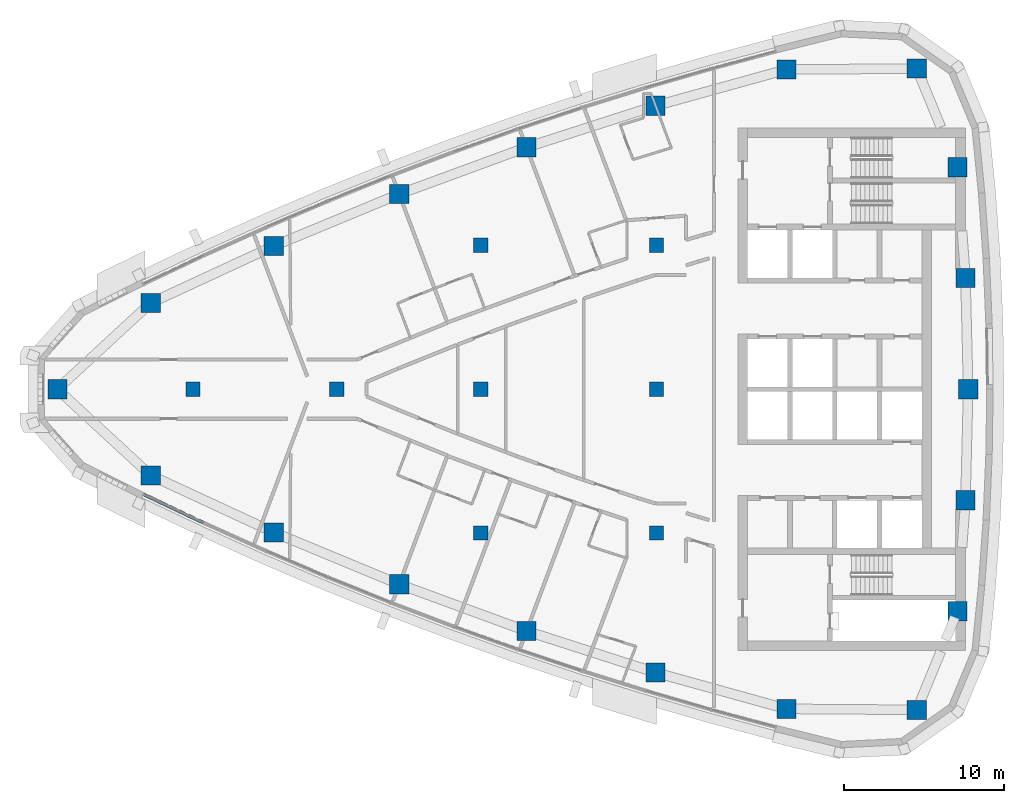
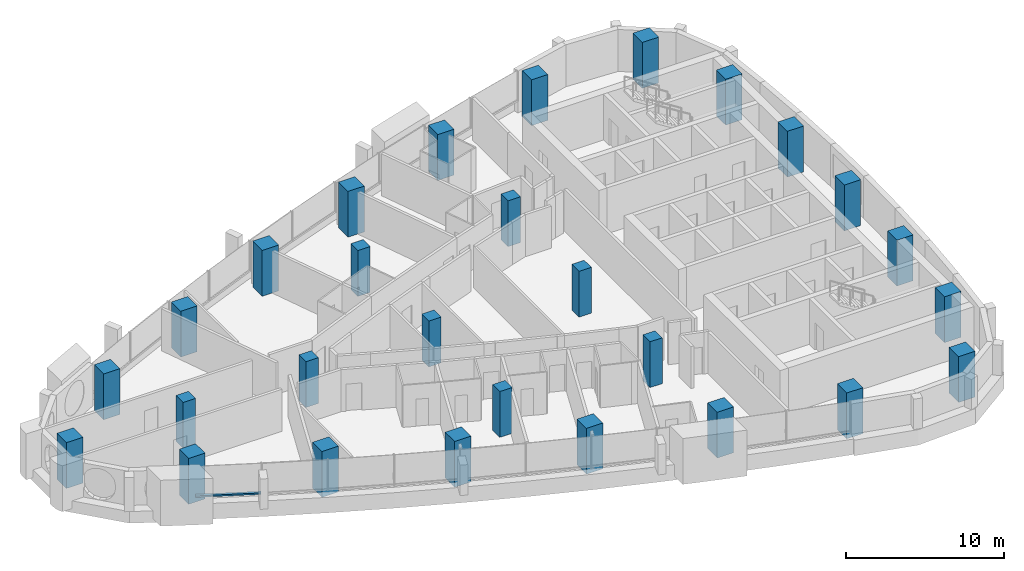
# One storey, part 1 of 16: 28 columns, 1 member, 1 element without a shape of its own.
"""IFC4 building model written with IfcOpenShell, lengths in metres."""

from ifc_helpers import new_model, si_unit, direction, frame, origin, origin_2d, place, context, subcontext, project, spatial, rectangle, extrude, material, layer, layer_set, material_profile, profile_set, type_object, element, aggregate, save


model = new_model("IFC4")

# Units and contexts
model_context = context("Model", 3, precision=1e-05, world=origin(), true_north=direction((0.0, 1.0)))
body_context = subcontext(model_context, "Body", "Model", "MODEL_VIEW")
ifc_project = project(units=[si_unit("LENGTHUNIT", "METRE"), si_unit("AREAUNIT", "SQUARE_METRE"), si_unit("VOLUMEUNIT", "CUBIC_METRE"), si_unit("PLANEANGLEUNIT", "RADIAN"), si_unit("MASSUNIT", "GRAM", prefix="KILO")], contexts=[model_context])

# Site, building, storey
site_placement = place(None, origin())
site = spatial("IfcSite", under=ifc_project, at=site_placement, CompositionType="ELEMENT")
building_placement = place(site_placement, origin())
building = spatial("IfcBuilding", under=site, at=building_placement, Name="Ostrand Prow Hotel Tower", CompositionType="ELEMENT")
storey_placement = place(building_placement, frame((0.0, 0.0, 224.35009765625)))
storey = spatial("IfcBuildingStorey", under=building, at=storey_placement, Name="L56", CompositionType="ELEMENT", Elevation=224.35009765625)

# Columns
ifc_material_1 = material(Name="Concrete C50/60", Category="concrete")
ifc_material_profile_1 = material_profile(ifc_material_1, rectangle(XDim=0.89990234375, YDim=0.89990234375, at=origin_2d()), Name="RC 900x900")
ifc_profile_set_1 = profile_set([ifc_material_profile_1], Name="Concrete C50/60")
column_type_1 = type_object("IfcColumnType", Name="Interior column 900x900 C50/60", PredefinedType="COLUMN", material=ifc_profile_set_1)
for number, where, z_axis, x_axis, name in (
    (1, (16.0, 0.0, 0.0), (0.0, 0.0, 1.0), (1.0, 0.0, 0.0), "Interior column 16C0"),
    (2, (25.0, 0.0, 0.0), (0.0, 0.0, 1.0), (1.0, 0.0, 0.0), "Interior column 25C0"),
    (3, (34.0, -9.0, 0.0), (0.0, 0.0, 1.0), (1.0, 0.0, 0.0), "Interior column 34S9"),
    (4, (34.0, 0.0, 0.0), (0.0, 0.0, 1.0), (1.0, 0.0, 0.0), "Interior column 34C0"),
    (5, (34.0, 9.0, 0.0), (0.0, 0.0, 1.0), (1.0, 0.0, 0.0), "Interior column 34N9"),
    (6, (45.0, -9.0, 0.0), (0.0, 0.0, 1.0), (1.0, 0.0, 0.0), "Interior column 45S9"),
    (7, (45.0, 0.0, 0.0), (0.0, 0.0, 1.0), (1.0, 0.0, 0.0), "Interior column 45C0"),
    (8, (45.0, 9.0, 0.0), (0.0, 0.0, 1.0), (1.0, 0.0, 0.0), "Interior column 45N9"),
):
    element("IfcColumn", number, at=place(storey_placement, frame(where, z_axis=z_axis, x_axis=x_axis)), inside=storey, type_object=column_type_1, Name=name, PredefinedType="COLUMN", context=body_context, shape_type="SweptSolid", body=[
        extrude(rectangle(XDim=0.89990234375, YDim=0.89990234375, at=origin_2d()), origin(), (0.0, 0.0, 1.0), 3.5498046875),
    ])
ifc_material_2 = material(Name="Concrete C50/60", Category="concrete")
ifc_material_profile_2 = material_profile(ifc_material_2, rectangle(XDim=1.199951171875, YDim=1.199951171875, at=origin_2d()), Name="RC 1200x1200")
ifc_profile_set_2 = profile_set([ifc_material_profile_2], Name="Concrete C50/60")
column_type_2 = type_object("IfcColumnType", Name="Stone-faced mega column 1200x1200 C50/60", PredefinedType="COLUMN", material=ifc_profile_set_2)
for number, where, z_axis, x_axis, name in (
    (9, (7.513916015625, 0.0, 0.0), (0.0, 0.0, 1.0), (1.0, 0.0, 0.0), "Mega column P"),
    (10, (13.356201171875, -5.392822265625, 0.0), (0.0, 0.0, 1.0), (1.0, 0.0, 0.0), "Mega column S1"),
    (11, (21.05859375, -8.95751953125, 0.0), (0.0, 0.0, 1.0), (1.0, 0.0, 0.0), "Mega column S2"),
    (12, (28.900146484375, -12.205322265625, 0.0), (0.0, 0.0, 1.0), (1.0, 0.0, 0.0), "Mega column S3"),
    (13, (36.8671875, -15.131591796875, 0.0), (0.0, 0.0, 1.0), (1.0, 0.0, 0.0), "Mega column S4"),
    (14, (44.94677734375, -17.731201171875, 0.0), (0.0, 0.0, 1.0), (1.0, 0.0, 0.0), "Mega column S5"),
    (15, (53.12548828125, -19.99951171875, 0.0), (0.0, 0.0, 1.0), (1.0, 0.0, 0.0), "Mega column S6"),
    (16, (61.283935546875, -20.06201171875, 0.0), (0.0, 0.0, 1.0), (1.0, 0.0, 0.0), "Mega column SE"),
    (17, (63.826416015625, -13.887939453125, 0.0), (0.0, 0.0, 1.0), (1.0, 0.0, 0.0), "Mega column B1"),
    (18, (64.33154296875, -6.9521484375, 0.0), (0.0, 0.0, 1.0), (1.0, 0.0, 0.0), "Mega column B2"),
    (19, (64.5, 0.0, 0.0), (0.0, 0.0, 1.0), (1.0, 0.0, 0.0), "Mega column B3"),
    (20, (64.33154296875, 6.9521484375, 0.0), (0.0, 0.0, 1.0), (1.0, 0.0, 0.0), "Mega column B4"),
    (21, (63.826416015625, 13.887939453125, 0.0), (0.0, 0.0, 1.0), (1.0, 0.0, 0.0), "Mega column B5"),
    (22, (61.283935546875, 20.06201171875, 0.0), (0.0, 0.0, 1.0), (1.0, 0.0, 0.0), "Mega column NE"),
    (23, (53.12548828125, 19.99951171875, 0.0), (0.0, 0.0, 1.0), (1.0, 0.0, 0.0), "Mega column N1"),
    (24, (44.94677734375, 17.731201171875, 0.0), (0.0, 0.0, 1.0), (1.0, 0.0, 0.0), "Mega column N2"),
    (25, (36.8671875, 15.131591796875, 0.0), (0.0, 0.0, 1.0), (1.0, 0.0, 0.0), "Mega column N3"),
    (26, (28.900146484375, 12.205322265625, 0.0), (0.0, 0.0, 1.0), (1.0, 0.0, 0.0), "Mega column N4"),
    (27, (21.05859375, 8.95751953125, 0.0), (0.0, 0.0, 1.0), (1.0, 0.0, 0.0), "Mega column N5"),
    (28, (13.356201171875, 5.392822265625, 0.0), (0.0, 0.0, 1.0), (1.0, 0.0, 0.0), "Mega column N6"),
):
    element("IfcColumn", number, at=place(storey_placement, frame(where, z_axis=z_axis, x_axis=x_axis)), inside=storey, type_object=column_type_2, Name=name, PredefinedType="COLUMN", context=body_context, shape_type="SweptSolid", body=[
        extrude(rectangle(XDim=1.199951171875, YDim=1.199951171875, at=origin_2d()), origin(), (0.0, 0.0, 1.0), 3.5498046875),
    ])

# Curtain wall, member
ifc_material_3 = material(Name="Insulated glass in bronze anodised frame", Category="glass")
ifc_layer = layer(ifc_material_3, 0.199951171875)
ifc_layer_set = layer_set([ifc_layer], Name="Insulated glass in bronze anodised frame")
curtain_wall_type = type_object("IfcCurtainWallType", Name="Strip curtain wall, fritted glass over bronze spandrel", PredefinedType="NOTDEFINED", material=ifc_layer_set)
curtain_wall_placement = place(storey_placement, origin())
curtain_wall = element("IfcCurtainWall", 29, at=curtain_wall_placement, inside=storey, type_object=curtain_wall_type, Name="CW1 run CWS1", PredefinedType="NOTDEFINED")
ifc_material_4 = material(Name="Bronze anodised aluminium", Category="aluminium")
ifc_material_profile_3 = material_profile(ifc_material_4, rectangle(XDim=0.199951171875, YDim=0.1201171875, at=origin_2d()), Name="Transom 120x200 bronze anodised aluminium")
ifc_profile_set_3 = profile_set([ifc_material_profile_3], Name="Bronze anodised aluminium")
member_type = type_object("IfcMemberType", Name="Transom 120x200 bronze anodised aluminium", PredefinedType="USERDEFINED", material=ifc_profile_set_3)
member_placement = place(storey_placement, frame((12.92041015625, -6.583740234375, 0.9599609375), z_axis=(0.903364977925, -0.428872611226, 0.0), x_axis=(0.428872611226, 0.903364977925, 0.0)))
member = element("IfcMember", 30, at=member_placement, type_object=member_type, Name="CW1 transom 1.1", ObjectType="TRANSOM", PredefinedType="USERDEFINED", context=body_context, shape_type="SweptSolid", body=[
    extrude(rectangle(XDim=0.199951171875, YDim=0.1201171875, at=origin_2d()), origin(), (0.0, 0.0, 1.0), 4.16357421875),
])
aggregate(curtain_wall, [member])

save(model, "model.ifc")
